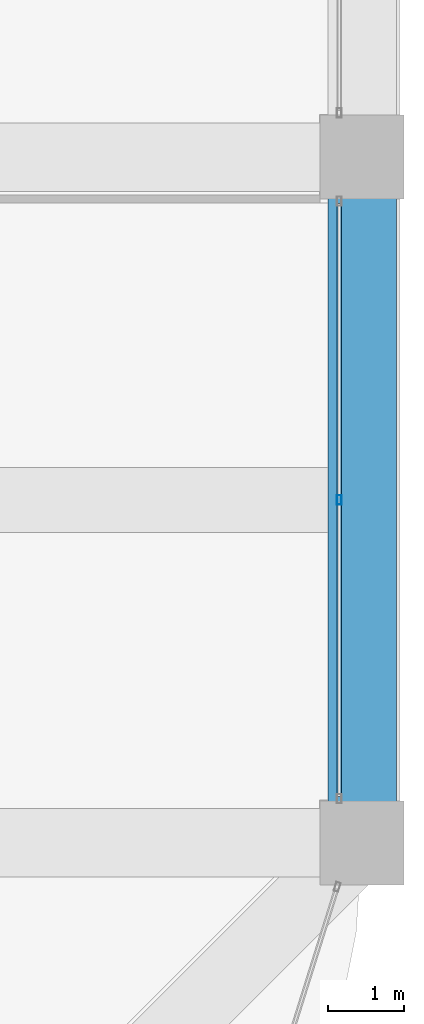
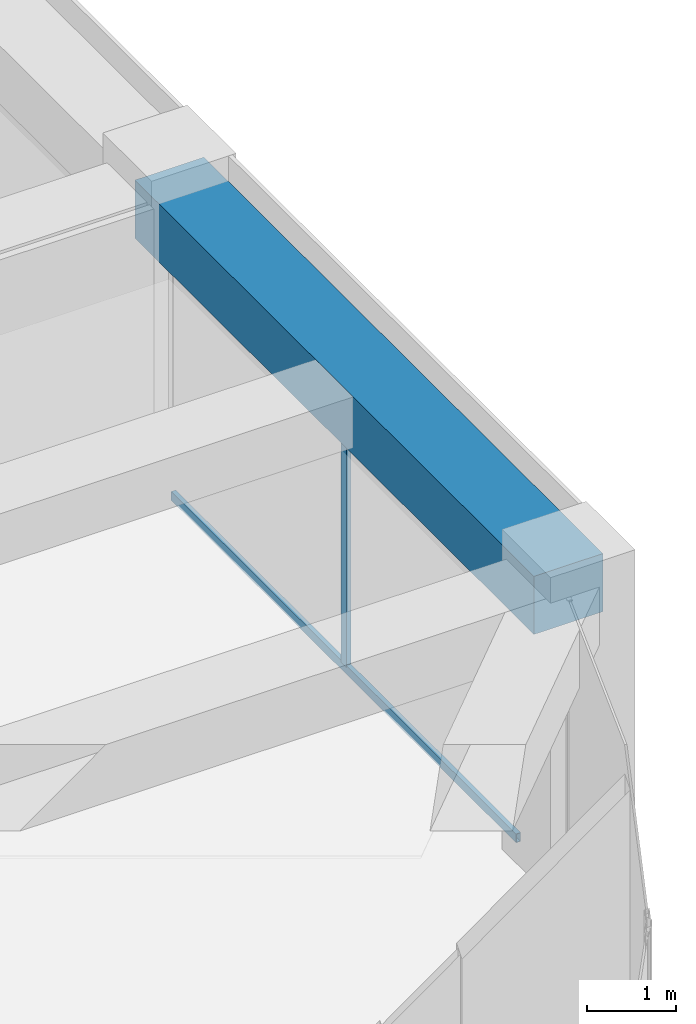
# One storey, part 23 of 44: 2 members, 1 beam, 1 element without a shape of its own.
"""IFC4 building model written with IfcOpenShell, lengths in metres."""

from ifc_helpers import new_model, si_unit, direction, frame, origin, origin_2d, place, context, subcontext, project, spatial, rectangle, hollow_rectangle, extrude, material, material_profile, profile_set, type_object, element, aggregate, save


model = new_model("IFC4")

# Units and contexts
model_context = context("Model", 3, precision=1e-05, world=origin(), true_north=direction((0.0, 1.0)))
body_context = subcontext(model_context, "Body", "Model", "MODEL_VIEW")
ifc_project = project(units=[si_unit("LENGTHUNIT", "METRE"), si_unit("AREAUNIT", "SQUARE_METRE"), si_unit("VOLUMEUNIT", "CUBIC_METRE"), si_unit("PLANEANGLEUNIT", "RADIAN"), si_unit("MASSUNIT", "GRAM", prefix="KILO")], contexts=[model_context])

# Site, building, storey
site_placement = place(None, origin())
site = spatial("IfcSite", under=ifc_project, at=site_placement, CompositionType="ELEMENT")
building_placement = place(site_placement, origin())
building = spatial("IfcBuilding", under=site, at=building_placement, Name="Zorevar Civic Tower", CompositionType="ELEMENT")
storey_placement = place(building_placement, frame((0.0, 0.0, 307.39990234375)))
storey = spatial("IfcBuildingStorey", under=building, at=storey_placement, Name="L75", CompositionType="ELEMENT", Elevation=307.39990234375)

# Curtain wall, members
ifc_material_1 = material(Name="Dark grey solar-control glass in black aluminium frame", Category="aluminium")
curtain_wall_type = type_object("IfcCurtainWallType", Name="Curtain wall CW5 top zone", PredefinedType="NOTDEFINED", material=ifc_material_1)
curtain_wall_placement = place(storey_placement, origin())
curtain_wall = element("IfcCurtainWall", 1, at=curtain_wall_placement, inside=storey, type_object=curtain_wall_type, Name="CW5 L75", PredefinedType="NOTDEFINED")
ifc_material_2 = material(Name="Aluminium, black anodised", Category="aluminium")
ifc_material_profile_1 = material_profile(ifc_material_2, hollow_rectangle(XDim=0.06005859375, YDim=0.1201171875, WallThickness=0.0029296875, at=origin_2d()), Name="AL 120x60x3")
ifc_profile_set_1 = profile_set([ifc_material_profile_1], Name="Aluminium, black anodised")
member_type_1 = type_object("IfcMemberType", Name="CW5 mullion AL 120x60x3", PredefinedType="MULLION", material=ifc_profile_set_1)
member_1_placement = place(storey_placement, frame((53.699951171875, 13.5, 0.06005859375), z_axis=(0.0, 0.0, 1.0), x_axis=(-1.0, 0.0, 0.0)))
member_1 = element("IfcMember", 2, at=member_1_placement, type_object=member_type_1, Name="CW5 mullion 2", PredefinedType="MULLION", context=body_context, shape_type="SweptSolid", body=[
    extrude(hollow_rectangle(XDim=0.06005859375, YDim=0.1201171875, WallThickness=0.0029296875, at=origin_2d()), origin(), (0.0, 0.0, 1.0), 3.18994140625),
])
ifc_material_3 = material(Name="Aluminium, black anodised", Category="aluminium")
ifc_material_profile_2 = material_profile(ifc_material_3, hollow_rectangle(XDim=0.06005859375, YDim=0.1201171875, WallThickness=0.0029296875, at=origin_2d()), Name="AL 120x60x3")
ifc_profile_set_2 = profile_set([ifc_material_profile_2], Name="Aluminium, black anodised")
member_type_2 = type_object("IfcMemberType", Name="CW5 transom AL 120x60x3", PredefinedType="USERDEFINED", material=ifc_profile_set_2)
member_2_placement = place(storey_placement, frame((53.699951171875, 9.610107421875, 0.030029296875), z_axis=(0.0, 1.0, 0.0), x_axis=(-1.0, 0.0, 0.0)))
member_2 = element("IfcMember", 3, at=member_2_placement, type_object=member_type_2, Name="CW5 sill transom", ObjectType="TRANSOM", PredefinedType="USERDEFINED", context=body_context, shape_type="SweptSolid", body=[
    extrude(hollow_rectangle(XDim=0.06005859375, YDim=0.1201171875, WallThickness=0.0029296875, at=origin_2d()), origin(), (0.0, 0.0, 1.0), 7.77978515625),
])
aggregate(curtain_wall, [member_1, member_2])

# Beam
ifc_material_4 = material(Name="Concrete C50/60", Category="concrete")
ifc_material_profile_3 = material_profile(ifc_material_4, rectangle(XDim=0.89990234375, YDim=0.800048828125, at=origin_2d()), Name="RC 900x800")
ifc_profile_set_3 = profile_set([ifc_material_profile_3], Name="Concrete C50/60")
beam_type = type_object("IfcBeamType", Name="Edge beam RC 900x800", PredefinedType="SPANDREL", material=ifc_profile_set_3)
beam_placement = place(storey_placement, frame((54.0, 9.0, 3.650146484375), z_axis=(0.0, 1.0, 0.0), x_axis=(-1.0, 0.0, 0.0)))
element("IfcBeam", 4, at=beam_placement, inside=storey, type_object=beam_type, Name="Edge beam RF", PredefinedType="SPANDREL", context=body_context, shape_type="SweptSolid", body=[
    extrude(rectangle(XDim=0.89990234375, YDim=0.800048828125, at=origin_2d()), origin(), (0.0, 0.0, 1.0), 9.0),
])

save(model, "model.ifc")
